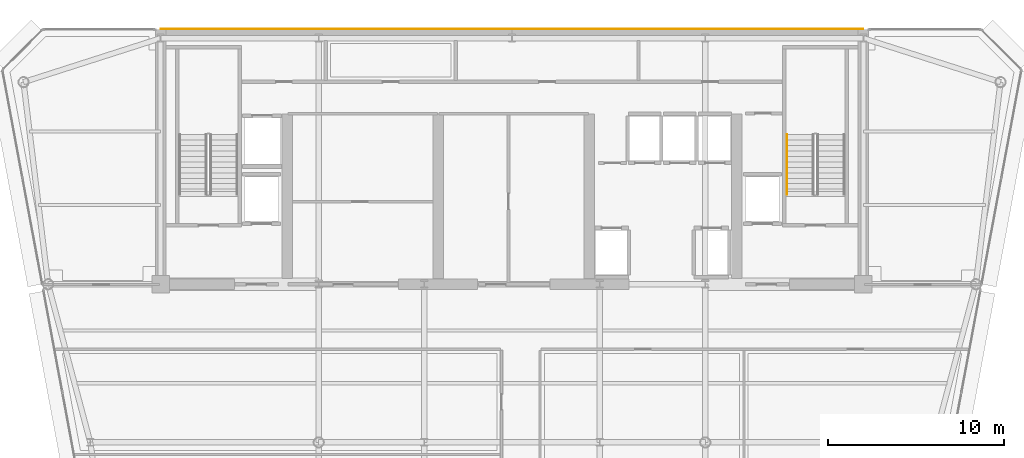
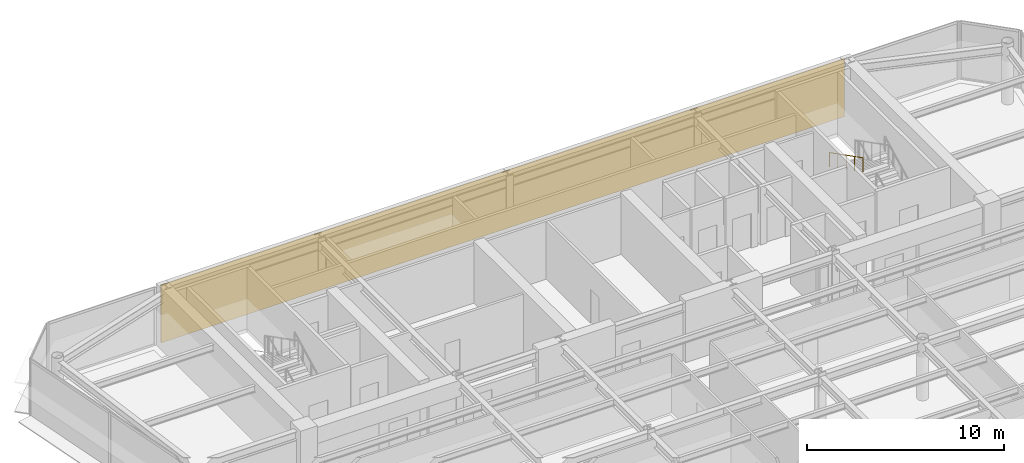
# One storey, part 13 of 14: 1 covering, 1 railing.
"""IFC4 building model written with IfcOpenShell, lengths in metres."""

from ifc_helpers import new_model, si_unit, direction, frame, origin, origin_2d, place, context, subcontext, project, spatial, polyline, circle, outline, extrude, material, layer, layer_set, type_object, element, save


model = new_model("IFC4")

# Units and contexts
model_context = context("Model", 3, precision=1e-05, world=origin(), true_north=direction((0.0, 1.0)))
body_context = subcontext(model_context, "Body", "Model", "MODEL_VIEW")
ifc_project = project(units=[si_unit("LENGTHUNIT", "METRE"), si_unit("AREAUNIT", "SQUARE_METRE"), si_unit("VOLUMEUNIT", "CUBIC_METRE"), si_unit("PLANEANGLEUNIT", "RADIAN"), si_unit("MASSUNIT", "GRAM", prefix="KILO")], contexts=[model_context])

# Site, building, storey
site_placement = place(None, origin())
site = spatial("IfcSite", under=ifc_project, at=site_placement, CompositionType="ELEMENT")
building_placement = place(site_placement, origin())
building = spatial("IfcBuilding", under=site, at=building_placement, Name="Vaeldorn Concourse Tower", CompositionType="ELEMENT")
storey_placement = place(building_placement, frame((0.0, 0.0, 238.39990234375)))
storey = spatial("IfcBuildingStorey", under=building, at=storey_placement, Name="L61", CompositionType="ELEMENT", Elevation=238.39990234375)

# Covering
ifc_material = material(Name="Anodised Bronze Aluminium", Category="aluminium")
ifc_layer = layer(ifc_material, 0.050048828125)
ifc_layer_set = layer_set([ifc_layer], Name="Anodised Bronze Aluminium")
covering_type = type_object("IfcCoveringType", Name="COV-CLAD-BRONZE", PredefinedType="CLADDING", material=ifc_layer_set)
covering_placement = place(storey_placement, origin())
element("IfcCovering", 1, at=covering_placement, inside=storey, type_object=covering_type, Name="Rear Core Bronze Spandrel Cladding L61", PredefinedType="CLADDING", context=body_context, shape_type="SweptSolid", body=[
    extrude(outline(polyline([(14.0, 51.0), (54.0, 51.0), (54.0, 51.050048828125), (14.0, 51.050048828125), (14.0, 51.0)])), origin(), (0.0, 0.0, 1.0), 3.580078125),
])

# Railing
railing_type = type_object("IfcRailingType", Name="RL-STAIR-HANDRAIL", PredefinedType="HANDRAIL", material=ifc_material)
railing_placement = place(storey_placement, frame((49.64990234375, 45.010009765625, 2.058349609375)))
element("IfcRailing", 2, at=railing_placement, inside=storey, type_object=railing_type, Name="L61 ST-2 stair handrail 2", PredefinedType="HANDRAIL", context=body_context, shape_type="SweptSolid", body=[
    extrude(circle(Radius=0.02392578125, at=origin_2d()), frame((0.0, 0.0, 0.8759765625), z_axis=(0.0, -0.890555807335, 0.454873997962), x_axis=(1.0, 0.0, 0.0)), (0.0, 0.0, 1.0), 3.828857421875),
    extrude(circle(Radius=0.02099609375, at=origin_2d()), origin(), (0.0, 0.0, 1.0), 0.851806640625),
    extrude(circle(Radius=0.02099609375, at=origin_2d()), frame((0.0, -0.8525390625, 0.435546875)), (0.0, 0.0, 1.0), 0.851806640625),
    extrude(circle(Radius=0.02099609375, at=origin_2d()), frame((0.0, -1.705078125, 0.870849609375)), (0.0, 0.0, 1.0), 0.851806640625),
    extrude(circle(Radius=0.02099609375, at=origin_2d()), frame((0.0, -2.557373046875, 1.30615234375)), (0.0, 0.0, 1.0), 0.851806640625),
    extrude(circle(Radius=0.02099609375, at=origin_2d()), frame((0.0, -3.409912109375, 1.74169921875)), (0.0, 0.0, 1.0), 0.851806640625),
])

save(model, "model.ifc")
